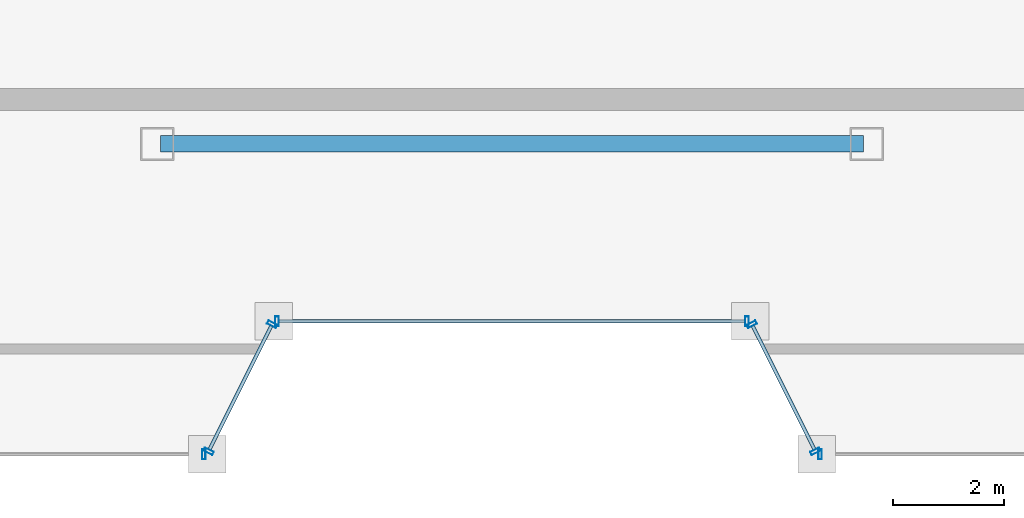
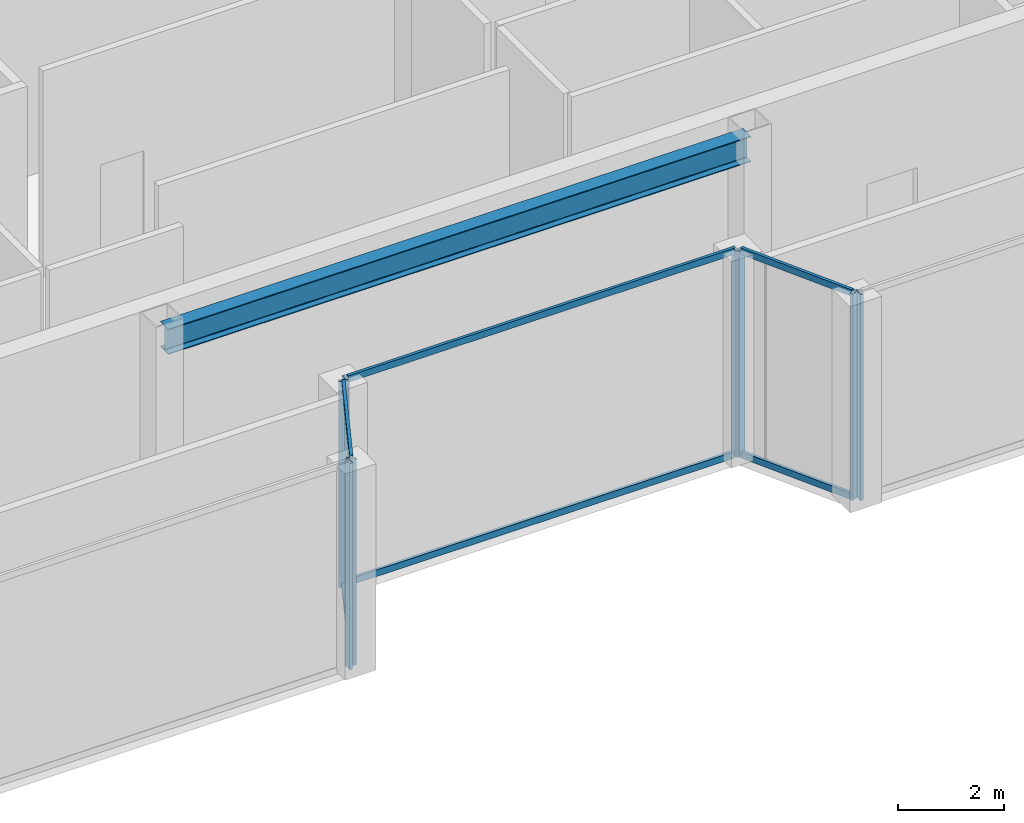
# One storey, part 5 of 20: 14 members, 1 beam, 5 elements without a shape of their own.
"""IFC4 building model written with IfcOpenShell, lengths in metres."""

from ifc_helpers import new_model, si_unit, direction, frame, origin, origin_2d, place, context, subcontext, project, spatial, hollow_rectangle, i_section, extrude, material, material_profile, profile_set, type_object, element, aggregate, save


model = new_model("IFC4")

# Units and contexts
model_context = context("Model", 3, precision=1e-05, world=origin(), true_north=direction((0.0, 1.0)))
body_context = subcontext(model_context, "Body", "Model", "MODEL_VIEW")
ifc_project = project(units=[si_unit("LENGTHUNIT", "METRE"), si_unit("AREAUNIT", "SQUARE_METRE"), si_unit("VOLUMEUNIT", "CUBIC_METRE"), si_unit("PLANEANGLEUNIT", "RADIAN"), si_unit("MASSUNIT", "GRAM", prefix="KILO")], contexts=[model_context])

# Site, building, storey
site_placement = place(None, origin())
site = spatial("IfcSite", under=ifc_project, at=site_placement, CompositionType="ELEMENT")
building_placement = place(site_placement, origin())
building = spatial("IfcBuilding", under=site, at=building_placement, Name="Saevonmaru Cultural Tower", CompositionType="ELEMENT")
storey_placement = place(building_placement, frame((0.0, 0.0, 314.199951171875)))
storey = spatial("IfcBuildingStorey", under=building, at=storey_placement, Name="L75", CompositionType="ELEMENT", Elevation=314.199951171875)

# Beam
ifc_material_1 = material(Name="Steel SM355", Category="steel")
ifc_material_profile_1 = material_profile(ifc_material_1, i_section(OverallWidth=0.300048828125, OverallDepth=0.587890625, WebThickness=0.011962890625, FlangeThickness=0.02001953125, FilletRadius=0.02392578125, at=origin_2d()), Name="H-588x300x12x20")
ifc_profile_set_1 = profile_set([ifc_material_profile_1], Name="Steel SM355")
beam_type = type_object("IfcBeamType", Name="BM-G-H588", PredefinedType="BEAM", material=ifc_profile_set_1)
beam_placement = place(storey_placement, frame((23.659912109375, 42.39990234375, 4.4560546875), z_axis=(1.0, 0.0, 0.0), x_axis=(0.0, 1.0, 0.0)))
element("IfcBeam", 1, at=beam_placement, inside=storey, type_object=beam_type, Name="L75 Core South Girder 3", PredefinedType="BEAM", context=body_context, shape_type="SweptSolid", body=[
    extrude(i_section(OverallWidth=0.300048828125, OverallDepth=0.587890625, WebThickness=0.011962890625, FlangeThickness=0.02001953125, FilletRadius=0.02392578125, at=origin_2d()), origin(), (0.0, 0.0, 1.0), 12.68017578125),
])

# Curtain wall, member
ifc_material_2 = material(Name="Satin Bronze Anodised Aluminium", Category="aluminium")
curtain_wall_type = type_object("IfcCurtainWallType", Name="CW-TYP-B", PredefinedType="NOTDEFINED", material=ifc_material_2)
curtain_wall_1_placement = place(storey_placement, origin())
curtain_wall_1 = element("IfcCurtainWall", 2, at=curtain_wall_1_placement, inside=storey, type_object=curtain_wall_type, Name="L75 Wind-Floor Acoustic Louvre Screen E2", PredefinedType="NOTDEFINED")
ifc_material_profile_2 = material_profile(ifc_material_2, hollow_rectangle(XDim=0.06494140625, YDim=0.179931640625, WallThickness=0.00390625, at=origin_2d()), Name="ALU-MULL-180x65x4")
ifc_profile_set_2 = profile_set([ifc_material_profile_2], Name="Satin Bronze Anodised Aluminium")
member_type_1 = type_object("IfcMemberType", Name="ML-CW-180x65", PredefinedType="MULLION", material=ifc_profile_set_2)
member_1_placement = place(storey_placement, frame((24.43994140625, 36.800048828125, 0.0), z_axis=(0.0, 0.0, 1.0), x_axis=(1.0, 0.0, 0.0)))
member_1 = element("IfcMember", 3, at=member_1_placement, type_object=member_type_1, Name="CW-TW-L75-E2 mullion 2", PredefinedType="MULLION", context=body_context, shape_type="SweptSolid", body=[
    extrude(hollow_rectangle(XDim=0.06494140625, YDim=0.179931640625, WallThickness=0.00390625, at=origin_2d()), origin(), (0.0, 0.0, 1.0), 4.75),
])
aggregate(curtain_wall_1, [member_1])

# Curtain wall, members
curtain_wall_2_placement = place(storey_placement, origin())
curtain_wall_2 = element("IfcCurtainWall", 4, at=curtain_wall_2_placement, inside=storey, type_object=curtain_wall_type, Name="L75 Wind-Floor Acoustic Louvre Screen E3", PredefinedType="NOTDEFINED")
member_2_placement = place(storey_placement, frame((24.52685546875, 36.853759765625, 0.0), z_axis=(0.0, 0.0, 1.0), x_axis=(0.447244798252, 0.894411588944, 0.0)))
member_2 = element("IfcMember", 5, at=member_2_placement, type_object=member_type_1, Name="CW-TW-L75-E3 mullion 1", PredefinedType="MULLION", context=body_context, shape_type="SweptSolid", body=[
    extrude(hollow_rectangle(XDim=0.06494140625, YDim=0.179931640625, WallThickness=0.00390625, at=origin_2d()), origin(), (0.0, 0.0, 1.0), 4.75),
])
member_3_placement = place(storey_placement, frame((25.673095703125, 39.146240234375, 0.0), z_axis=(0.0, 0.0, 1.0), x_axis=(0.447244798252, 0.894411588944, 0.0)))
member_3 = element("IfcMember", 6, at=member_3_placement, type_object=member_type_1, Name="CW-TW-L75-E3 mullion 2", PredefinedType="MULLION", context=body_context, shape_type="SweptSolid", body=[
    extrude(hollow_rectangle(XDim=0.06494140625, YDim=0.179931640625, WallThickness=0.00390625, at=origin_2d()), origin(), (0.0, 0.0, 1.0), 4.75),
])

curtain_wall_3_placement = place(storey_placement, origin())
curtain_wall_3 = element("IfcCurtainWall", 7, at=curtain_wall_3_placement, inside=storey, type_object=curtain_wall_type, Name="L75 Wind-Floor Acoustic Louvre Screen E4", PredefinedType="NOTDEFINED")
member_4_placement = place(storey_placement, frame((25.760009765625, 39.199951171875, 0.0), z_axis=(0.0, 0.0, 1.0), x_axis=(1.0, 0.0, 0.0)))
member_4 = element("IfcMember", 8, at=member_4_placement, type_object=member_type_1, Name="CW-TW-L75-E4 mullion 1", PredefinedType="MULLION", context=body_context, shape_type="SweptSolid", body=[
    extrude(hollow_rectangle(XDim=0.06494140625, YDim=0.179931640625, WallThickness=0.00390625, at=origin_2d()), origin(), (0.0, 0.0, 1.0), 4.75),
])
member_5_placement = place(storey_placement, frame((34.239990234375, 39.199951171875, 0.0), z_axis=(0.0, 0.0, 1.0), x_axis=(1.0, 0.0, 0.0)))
member_5 = element("IfcMember", 9, at=member_5_placement, type_object=member_type_1, Name="CW-TW-L75-E4 mullion 2", PredefinedType="MULLION", context=body_context, shape_type="SweptSolid", body=[
    extrude(hollow_rectangle(XDim=0.06494140625, YDim=0.179931640625, WallThickness=0.00390625, at=origin_2d()), origin(), (0.0, 0.0, 1.0), 4.75),
])

curtain_wall_4_placement = place(storey_placement, origin())
curtain_wall_4 = element("IfcCurtainWall", 10, at=curtain_wall_4_placement, inside=storey, type_object=curtain_wall_type, Name="L75 Wind-Floor Acoustic Louvre Screen E5", PredefinedType="NOTDEFINED")
member_6_placement = place(storey_placement, frame((34.326904296875, 39.146240234375, 0.0), z_axis=(0.0, 0.0, 1.0), x_axis=(0.447244798252, -0.894411588944, 0.0)))
member_6 = element("IfcMember", 11, at=member_6_placement, type_object=member_type_1, Name="CW-TW-L75-E5 mullion 1", PredefinedType="MULLION", context=body_context, shape_type="SweptSolid", body=[
    extrude(hollow_rectangle(XDim=0.06494140625, YDim=0.179931640625, WallThickness=0.00390625, at=origin_2d()), origin(), (0.0, 0.0, 1.0), 4.75),
])
member_7_placement = place(storey_placement, frame((35.47314453125, 36.853759765625, 0.0), z_axis=(0.0, 0.0, 1.0), x_axis=(0.447244798252, -0.894411588944, 0.0)))
member_7 = element("IfcMember", 12, at=member_7_placement, type_object=member_type_1, Name="CW-TW-L75-E5 mullion 2", PredefinedType="MULLION", context=body_context, shape_type="SweptSolid", body=[
    extrude(hollow_rectangle(XDim=0.06494140625, YDim=0.179931640625, WallThickness=0.00390625, at=origin_2d()), origin(), (0.0, 0.0, 1.0), 4.75),
])

# Curtain wall, member
curtain_wall_5_placement = place(storey_placement, origin())
curtain_wall_5 = element("IfcCurtainWall", 13, at=curtain_wall_5_placement, inside=storey, type_object=curtain_wall_type, Name="L75 Wind-Floor Acoustic Louvre Screen E6", PredefinedType="NOTDEFINED")
member_8_placement = place(storey_placement, frame((35.56005859375, 36.800048828125, 0.0), z_axis=(0.0, 0.0, 1.0), x_axis=(1.0, 0.0, 0.0)))
member_8 = element("IfcMember", 14, at=member_8_placement, type_object=member_type_1, Name="CW-TW-L75-E6 mullion 1", PredefinedType="MULLION", context=body_context, shape_type="SweptSolid", body=[
    extrude(hollow_rectangle(XDim=0.06494140625, YDim=0.179931640625, WallThickness=0.00390625, at=origin_2d()), origin(), (0.0, 0.0, 1.0), 4.75),
])
aggregate(curtain_wall_5, [member_8])

# Member
ifc_material_profile_3 = material_profile(ifc_material_2, hollow_rectangle(XDim=0.06494140625, YDim=0.14990234375, WallThickness=0.00390625, at=origin_2d()), Name="ALU-TRAN-150x65x4")
ifc_profile_set_3 = profile_set([ifc_material_profile_3], Name="Satin Bronze Anodised Aluminium")
member_type_2 = type_object("IfcMemberType", Name="TR-CW-150x65", PredefinedType="USERDEFINED", material=ifc_profile_set_3)
member_9_placement = place(storey_placement, frame((24.541259765625, 36.8828125, 0.032470703125), z_axis=(0.447291774569, 0.894388097194, 0.0), x_axis=(-0.894388097194, 0.447291774569, 0.0)))
member_9 = element("IfcMember", 15, at=member_9_placement, type_object=member_type_2, Name="CW-TW-L75-E3 transom 1.1", ObjectType="TRANSOM", PredefinedType="USERDEFINED", context=body_context, shape_type="SweptSolid", body=[
    extrude(hollow_rectangle(XDim=0.06494140625, YDim=0.14990234375, WallThickness=0.00390625, at=origin_2d()), origin(), (0.0, 0.0, 1.0), 2.498291015625),
])

member_10_placement = place(storey_placement, frame((24.541259765625, 36.8828125, 4.717529296875), z_axis=(0.447291774569, 0.894388097194, 0.0), x_axis=(-0.894388097194, 0.447291774569, 0.0)))
member_10 = element("IfcMember", 16, at=member_10_placement, type_object=member_type_2, Name="CW-TW-L75-E3 transom 1.2", ObjectType="TRANSOM", PredefinedType="USERDEFINED", context=body_context, shape_type="SweptSolid", body=[
    extrude(hollow_rectangle(XDim=0.06494140625, YDim=0.14990234375, WallThickness=0.00390625, at=origin_2d()), origin(), (0.0, 0.0, 1.0), 2.498291015625),
])

aggregate(curtain_wall_2, [member_2, member_3, member_9, member_10])

member_11_placement = place(storey_placement, frame((25.79248046875, 39.199951171875, 0.032470703125), z_axis=(1.0, 0.0, 0.0), x_axis=(0.0, 1.0, 0.0)))
member_11 = element("IfcMember", 17, at=member_11_placement, type_object=member_type_2, Name="CW-TW-L75-E4 transom 1.1", ObjectType="TRANSOM", PredefinedType="USERDEFINED", context=body_context, shape_type="SweptSolid", body=[
    extrude(hollow_rectangle(XDim=0.06494140625, YDim=0.14990234375, WallThickness=0.00390625, at=origin_2d()), origin(), (0.0, 0.0, 1.0), 8.4150390625),
])

member_12_placement = place(storey_placement, frame((25.79248046875, 39.199951171875, 4.717529296875), z_axis=(1.0, 0.0, 0.0), x_axis=(0.0, 1.0, 0.0)))
member_12 = element("IfcMember", 18, at=member_12_placement, type_object=member_type_2, Name="CW-TW-L75-E4 transom 1.2", ObjectType="TRANSOM", PredefinedType="USERDEFINED", context=body_context, shape_type="SweptSolid", body=[
    extrude(hollow_rectangle(XDim=0.06494140625, YDim=0.14990234375, WallThickness=0.00390625, at=origin_2d()), origin(), (0.0, 0.0, 1.0), 8.4150390625),
])

aggregate(curtain_wall_3, [member_4, member_5, member_11, member_12])

member_13_placement = place(storey_placement, frame((34.34130859375, 39.1171875, 0.032470703125), z_axis=(0.447291774569, -0.894388097194, 0.0), x_axis=(0.894388097194, 0.447291774569, 0.0)))
member_13 = element("IfcMember", 19, at=member_13_placement, type_object=member_type_2, Name="CW-TW-L75-E5 transom 1.1", ObjectType="TRANSOM", PredefinedType="USERDEFINED", context=body_context, shape_type="SweptSolid", body=[
    extrude(hollow_rectangle(XDim=0.06494140625, YDim=0.14990234375, WallThickness=0.00390625, at=origin_2d()), origin(), (0.0, 0.0, 1.0), 2.498291015625),
])

member_14_placement = place(storey_placement, frame((34.34130859375, 39.1171875, 4.717529296875), z_axis=(0.447291774569, -0.894388097194, 0.0), x_axis=(0.894388097194, 0.447291774569, 0.0)))
member_14 = element("IfcMember", 20, at=member_14_placement, type_object=member_type_2, Name="CW-TW-L75-E5 transom 1.2", ObjectType="TRANSOM", PredefinedType="USERDEFINED", context=body_context, shape_type="SweptSolid", body=[
    extrude(hollow_rectangle(XDim=0.06494140625, YDim=0.14990234375, WallThickness=0.00390625, at=origin_2d()), origin(), (0.0, 0.0, 1.0), 2.498291015625),
])

aggregate(curtain_wall_4, [member_6, member_7, member_13, member_14])

save(model, "model.ifc")
